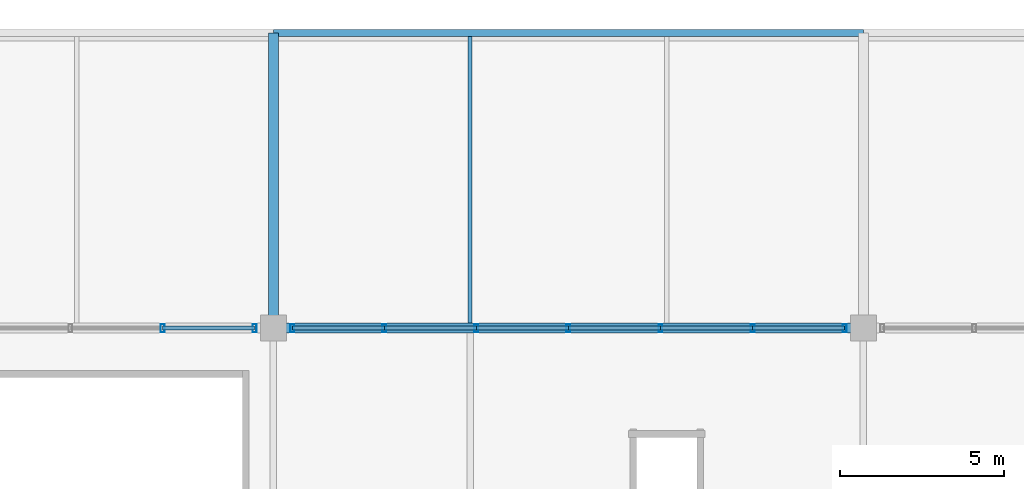
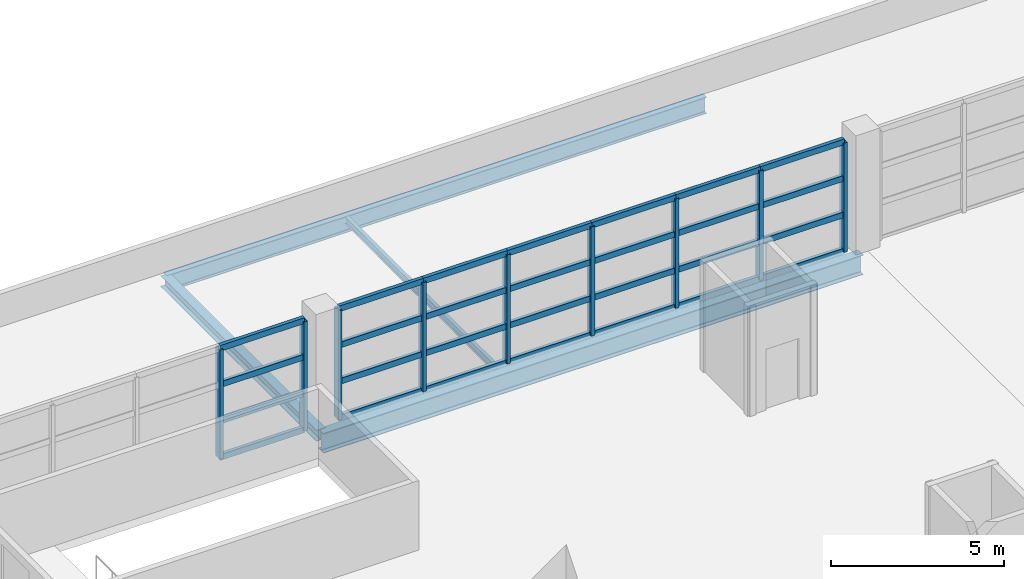
# One storey, part 37 of 136: 37 members, 4 beams, 2 elements without a shape of their own.
"""IFC4 building model written with IfcOpenShell, lengths in metres."""

import ifcopenshell
import ifcopenshell.guid

model = None  # the IFC model being written
_history = None  # IfcOwnerHistory: only IFC2X3 demands one
_inside = {}  # id of a spatial element -> (the spatial element, [elements in it])
_under = {}  # id of a project, library or spatial element -> (it, [spatial elements below it])
_declared = {}  # id of a project -> (the project, [libraries it declares])
_typed = {}  # id of a type object -> (the type object, [elements of that type])
_made_of = {}  # id of a material, layer set ... -> (it, [elements and type objects made of it])


def new_model(schema):
    """Start an empty IFC model of exactly this schema.

    Asked for "IFC4X3", IfcOpenShell would pick the latest addendum, in which some entities
    have other attributes; the version numbers below select the first issue.
    IFC2X3 requires an IfcOwnerHistory on every rooted entity: one is made here for all.
    """
    global model, _history
    if schema == "IFC4X3":
        model = ifcopenshell.file(schema_version=(4, 3, 0, 0))
    else:
        model = ifcopenshell.file(schema=schema)
    _inside.clear()
    _under.clear()
    _declared.clear()
    _typed.clear()
    _made_of.clear()
    _history = None
    if model.schema == "IFC2X3":
        org = make("IfcOrganization", Name="unknown")
        user = make(
            "IfcPersonAndOrganization",
            ThePerson=make("IfcPerson", FamilyName="unknown"),
            TheOrganization=org,
        )
        app = make(
            "IfcApplication",
            ApplicationDeveloper=org,
            Version="unknown",
            ApplicationFullName="unknown",
            ApplicationIdentifier="unknown",
        )
        _history = make(
            "IfcOwnerHistory",
            OwningUser=user,
            OwningApplication=app,
            ChangeAction="ADDED",
            CreationDate=0,
        )
    return model


def make(cls, **values):
    """One entity of the class cls with the attributes given. An attribute that is None is left unset."""
    return model.create_entity(
        cls, **{name: value for name, value in values.items() if value is not None}
    )


def rooted(cls, **values):
    """An entity with a GlobalId (a new one), such as an element, a storey or a relation."""
    return make(cls, GlobalId=ifcopenshell.guid.new(), OwnerHistory=_history, **values)


def si_unit(unit_type, name, prefix=None):
    """IfcSIUnit, for example si_unit("LENGTHUNIT", "METRE", prefix="MILLI")."""
    return make("IfcSIUnit", UnitType=unit_type, Prefix=prefix, Name=name)


def assignment(units):
    """IfcUnitAssignment: the units of a project."""
    return None if units is None else make("IfcUnitAssignment", Units=units)


def point(xyz):
    """IfcCartesianPoint."""
    return None if xyz is None else make("IfcCartesianPoint", Coordinates=xyz)


def direction(xyz):
    """IfcDirection."""
    return None if xyz is None else make("IfcDirection", DirectionRatios=xyz)


def frame(location, z_axis=None, x_axis=None):
    """IfcAxis2Placement3D, a coordinate frame: its origin and axes. An axis left out is left unset."""
    return make(
        "IfcAxis2Placement3D",
        Location=point(location),
        Axis=direction(z_axis),
        RefDirection=direction(x_axis),
    )


def frame_2d(location, x_axis=None):
    """IfcAxis2Placement2D, a coordinate frame in the plane: its origin and x axis."""
    return make(
        "IfcAxis2Placement2D", Location=point(location), RefDirection=direction(x_axis)
    )


def origin():
    """The frame at (0, 0, 0) with its axes left unset."""
    return frame((0.0, 0.0, 0.0))


def origin_2d():
    """The frame at (0, 0) in the plane with its x axis left unset."""
    return frame_2d((0.0, 0.0))


def place(relative_to, where):
    """IfcLocalPlacement: puts the frame where relative to a parent placement (None: the world)."""
    return make(
        "IfcLocalPlacement", PlacementRelTo=relative_to, RelativePlacement=where
    )


def context(
    kind, dimensions, precision=None, world=None, true_north=None, identifier=None
):
    """IfcGeometricRepresentationContext, for example the 3D "Model" context."""
    return make(
        "IfcGeometricRepresentationContext",
        ContextIdentifier=identifier,
        ContextType=kind,
        CoordinateSpaceDimension=dimensions,
        Precision=precision,
        WorldCoordinateSystem=world,
        TrueNorth=true_north,
    )


def subcontext(parent, identifier, kind, view, scale=None):
    """IfcGeometricRepresentationSubContext, for example "Body" below "Model"."""
    return make(
        "IfcGeometricRepresentationSubContext",
        ContextIdentifier=identifier,
        ContextType=kind,
        ParentContext=parent,
        TargetScale=scale,
        TargetView=view,
    )


def project(units=None, contexts=None):
    """IfcProject with its units and contexts."""
    return rooted(
        "IfcProject",
        Name="project",
        RepresentationContexts=contexts,
        UnitsInContext=assignment(units),
    )


def spatial(cls, under=None, at=None, **own):
    """A site, building, storey or space (cls), placed at a placement, below another one or the project."""
    s = rooted(cls, ObjectPlacement=at, **own)
    if under is not None:
        _under.setdefault(under.id(), (under, []))[1].append(s)
    return s


def profile(cls, at=None, kind="AREA", **sizes):
    """A parametric profile (cls). Its sizes go by their IFC names, for example OverallWidth=200.0."""
    return make(cls, ProfileType=kind, Position=at, **sizes)


def hollow_rectangle(**sizes):
    """IfcRectangleHollowProfileDef."""
    return profile("IfcRectangleHollowProfileDef", **sizes)


def i_section(**sizes):
    """IfcIShapeProfileDef."""
    return profile("IfcIShapeProfileDef", **sizes)


def extrude(swept, where, along, depth):
    """IfcExtrudedAreaSolid: the profile swept, set in the frame where, extruded along a direction by depth."""
    return make(
        "IfcExtrudedAreaSolid",
        SweptArea=swept,
        Position=where,
        ExtrudedDirection=direction(along),
        Depth=depth,
    )


def shape(context_of_items, identifier, shape_type, items):
    """IfcShapeRepresentation: the items that make up one representation, for example the "Body"."""
    return make(
        "IfcShapeRepresentation",
        ContextOfItems=context_of_items,
        RepresentationIdentifier=identifier,
        RepresentationType=shape_type,
        Items=items,
    )


def material(Name=None, Category=None):
    """IfcMaterial."""
    return make("IfcMaterial", Name=Name, Category=Category)


def material_profile(
    of_material, cross_section, Name=None, Category=None, Priority=None
):
    """IfcMaterialProfile: a cross section and its material."""
    return make(
        "IfcMaterialProfile",
        Name=Name,
        Material=of_material,
        Profile=cross_section,
        Priority=Priority,
        Category=Category,
    )


def profile_set(profiles, Name=None, composite=None):
    """IfcMaterialProfileSet."""
    return make(
        "IfcMaterialProfileSet",
        Name=Name,
        MaterialProfiles=profiles,
        CompositeProfile=composite,
    )


def made_of(thing, what):
    """Note that an element or type object is made of a material, layer set ...; save() writes the relation."""
    if what is not None:
        _made_of.setdefault(what.id(), (what, []))[1].append(thing)
    return thing


def type_object(cls, material=None, **own):
    """A type object (cls), such as IfcWallType, which elements share."""
    return made_of(rooted(cls, **own), material)


def element(
    cls,
    number,
    at=None,
    inside=None,
    cuts=None,
    type_object=None,
    material=None,
    context=None,
    identifier="Body",
    shape_type=None,
    held_by="IfcProductDefinitionShape",
    body=None,
    shapes=None,
    **own,
):
    """One element of the class cls, such as IfcWall. Its Tag is "e" and its number.

    at: its placement. inside: the storey or other place that contains it. cuts: it is an
    opening in that element (IfcRelVoidsElement). A single representation is given by context,
    identifier, shape_type and body (its items); several are given by shapes. held_by: the class
    of the entity that holds the representations. save() writes the other relations.
    """
    e = rooted(cls, Tag="e%d" % number, ObjectPlacement=at, **own)
    if body is not None:
        shapes = [shape(context, identifier, shape_type, body)]
    if shapes is not None:
        e.Representation = make(held_by, Representations=shapes)
    if inside is not None:
        _inside.setdefault(inside.id(), (inside, []))[1].append(e)
    if cuts is not None:
        rooted(
            "IfcRelVoidsElement", RelatingBuildingElement=cuts, RelatedOpeningElement=e
        )
    if type_object is not None:
        _typed.setdefault(type_object.id(), (type_object, []))[1].append(e)
    return made_of(e, material)


def aggregate(whole, parts):
    """IfcRelAggregates: a whole, such as a stair, and the parts it consists of."""
    return rooted("IfcRelAggregates", RelatingObject=whole, RelatedObjects=parts)


def save(model, path):
    """Write the relations noted so far, then the file.

    IfcRelAggregates (storeys below a building ...), IfcRelContainedInSpatialStructure (elements
    in a storey), IfcRelDefinesByType, IfcRelAssociatesMaterial and IfcRelDeclares: one each for
    every whole, place, type object, material and project.
    """
    for whole, parts in _under.values():
        aggregate(whole, parts)
    for where, things in _inside.values():
        rooted(
            "IfcRelContainedInSpatialStructure",
            RelatedElements=things,
            RelatingStructure=where,
        )
    for kind, things in _typed.values():
        rooted("IfcRelDefinesByType", RelatedObjects=things, RelatingType=kind)
    for what, things in _made_of.values():
        rooted("IfcRelAssociatesMaterial", RelatedObjects=things, RelatingMaterial=what)
    for by, libraries in _declared.values():
        rooted("IfcRelDeclares", RelatingContext=by, RelatedDefinitions=libraries)
    model.write(path)


model = new_model("IFC4")

# Units and contexts
model_context = context("Model", 3, precision=1e-05, world=origin(), true_north=direction((0.0, 1.0)))
body_context = subcontext(model_context, "Body", "Model", "MODEL_VIEW")
ifc_project = project(units=[si_unit("LENGTHUNIT", "METRE"), si_unit("AREAUNIT", "SQUARE_METRE"), si_unit("VOLUMEUNIT", "CUBIC_METRE"), si_unit("PLANEANGLEUNIT", "RADIAN"), si_unit("MASSUNIT", "GRAM", prefix="KILO")], contexts=[model_context])

# Site, building, storey
site_placement = place(None, origin())
site = spatial("IfcSite", under=ifc_project, at=site_placement, CompositionType="ELEMENT")
building_placement = place(site_placement, origin())
building = spatial("IfcBuilding", under=site, at=building_placement, Name="Chuanluo Vaults Station", CompositionType="ELEMENT")
storey_placement = place(building_placement, frame((0.0, 0.0, 6.60009765625)))
storey = spatial("IfcBuildingStorey", under=building, at=storey_placement, Name="L01", CompositionType="ELEMENT", Elevation=6.60009765625)

# Beams
ifc_material_1 = material(Name="Steel Q355C", Category="steel")
ifc_material_profile_1 = material_profile(ifc_material_1, i_section(OverallWidth=0.300048828125, OverallDepth=0.389892578125, WebThickness=0.010009765625, FlangeThickness=0.01611328125, FilletRadius=0.02001953125, at=origin_2d()))
ifc_profile_set_1 = profile_set([ifc_material_profile_1], Name="Steel Q355C")
beam_type_1 = type_object("IfcBeamType", Name="BM-GRD-400", PredefinedType="BEAM", material=ifc_profile_set_1)
beam_1_placement = place(storey_placement, frame((36.0, 117.0, -0.400146484375), z_axis=(0.0, 1.0, 0.0), x_axis=(-1.0, 0.0, 0.0)))
element("IfcBeam", 1, at=beam_1_placement, inside=storey, type_object=beam_type_1, Name="Floor girder BM:GY:L01:0425", PredefinedType="BEAM", context=body_context, shape_type="SweptSolid", body=[
    extrude(i_section(OverallWidth=0.300048828125, OverallDepth=0.389892578125, WebThickness=0.010009765625, FlangeThickness=0.01611328125, FilletRadius=0.02001953125, at=origin_2d()), origin(), (0.0, 0.0, 1.0), 9.0),
])
ifc_material_2 = material(Name="Steel Q355C", Category="steel")
ifc_material_profile_2 = material_profile(ifc_material_2, i_section(OverallWidth=0.300048828125, OverallDepth=0.699951171875, WebThickness=0.012939453125, FlangeThickness=0.02392578125, FilletRadius=0.02197265625, at=origin_2d()))
ifc_profile_set_2 = profile_set([ifc_material_profile_2], Name="Steel Q355C")
beam_type_2 = type_object("IfcBeamType", Name="BM-GRD-700", PredefinedType="USERDEFINED", material=ifc_profile_set_2)
beam_2_placement = place(storey_placement, frame((36.0, 117.0, -0.630126953125), z_axis=(1.0, 0.0, 0.0), x_axis=(0.0, 1.0, 0.0)))
element("IfcBeam", 2, at=beam_2_placement, inside=storey, type_object=beam_type_2, Name="Floor girder BM:GX:L01:0379", ObjectType="GIRDER", PredefinedType="USERDEFINED", context=body_context, shape_type="SweptSolid", body=[
    extrude(i_section(OverallWidth=0.300048828125, OverallDepth=0.699951171875, WebThickness=0.012939453125, FlangeThickness=0.02392578125, FilletRadius=0.02197265625, at=origin_2d()), origin(), (0.0, 0.0, 1.0), 18.0),
])
ifc_material_3 = material(Name="Steel Q355C", Category="steel")
ifc_material_profile_3 = material_profile(ifc_material_3, i_section(OverallWidth=0.125, OverallDepth=0.25, WebThickness=0.006103515625, FlangeThickness=0.009033203125, FilletRadius=0.011962890625, at=origin_2d()))
ifc_profile_set_3 = profile_set([ifc_material_profile_3], Name="Steel Q355C")
beam_type_3 = type_object("IfcBeamType", Name="BM-SEC-250", PredefinedType="JOIST", material=ifc_profile_set_3)
beam_3_placement = place(storey_placement, frame((42.0, 117.155029296875, -0.330078125), z_axis=(0.0, 1.0, 0.0), x_axis=(-1.0, 0.0, 0.0)))
element("IfcBeam", 3, at=beam_3_placement, inside=storey, type_object=beam_type_3, Name="Composite secondary joist 0120", PredefinedType="JOIST", context=body_context, shape_type="SweptSolid", body=[
    extrude(i_section(OverallWidth=0.125, OverallDepth=0.25, WebThickness=0.006103515625, FlangeThickness=0.009033203125, FilletRadius=0.011962890625, at=origin_2d()), origin(), (0.0, 0.0, 1.0), 8.73486328125),
])
ifc_material_4 = material(Name="Steel Q355C", Category="steel")
ifc_material_profile_4 = material_profile(ifc_material_4, i_section(OverallWidth=0.2099609375, OverallDepth=0.580078125, WebThickness=0.010986328125, FlangeThickness=0.01708984375, FilletRadius=0.01806640625, at=origin_2d()))
ifc_profile_set_4 = profile_set([ifc_material_profile_4], Name="Steel Q355C")
beam_type_4 = type_object("IfcBeamType", Name="BM-SPN-600", PredefinedType="SPANDREL", material=ifc_profile_set_4)
beam_4_placement = place(storey_placement, frame((36.0, 126.0, -0.4951171875), z_axis=(1.0, 0.0, 0.0), x_axis=(0.0, 1.0, 0.0)))
element("IfcBeam", 4, at=beam_4_placement, inside=storey, type_object=beam_type_4, Name="Floor girder BM:GX:L01:0393", PredefinedType="SPANDREL", context=body_context, shape_type="SweptSolid", body=[
    extrude(i_section(OverallWidth=0.2099609375, OverallDepth=0.580078125, WebThickness=0.010986328125, FlangeThickness=0.01708984375, FilletRadius=0.01806640625, at=origin_2d()), origin(), (0.0, 0.0, 1.0), 18.0),
])

# Curtain wall, members
ifc_material_5 = material(Name="Anodised aluminium 6063-T6", Category="aluminium")
curtain_wall_type_1 = type_object("IfcCurtainWallType", Name="CW-SYS-07", PredefinedType="NOTDEFINED", material=ifc_material_5)
curtain_wall_1_placement = place(storey_placement, origin())
curtain_wall_1 = element("IfcCurtainWall", 5, at=curtain_wall_1_placement, inside=storey, type_object=curtain_wall_type_1, Name="Over-track V2 north facade CW", PredefinedType="NOTDEFINED")
ifc_material_6 = material(Name="Anodised aluminium 6063-T6", Category="aluminium")
ifc_material_profile_5 = material_profile(ifc_material_6, hollow_rectangle(XDim=0.1201171875, YDim=0.25, WallThickness=0.006103515625, at=origin_2d()))
ifc_profile_set_5 = profile_set([ifc_material_profile_5], Name="Anodised aluminium 6063-T6")
member_type_1 = type_object("IfcMemberType", Name="CWM-160", PredefinedType="MULLION", material=ifc_profile_set_5)
member_1_placement = place(storey_placement, frame((32.61669921875, 117.0, 0.0), z_axis=(0.0, 0.0, 1.0), x_axis=(1.0, 0.0, 0.0)))
member_1 = element("IfcMember", 6, at=member_1_placement, type_object=member_type_1, Name="Over-track V2 north facade CW mullion 6", PredefinedType="MULLION", context=body_context, shape_type="SweptSolid", body=[
    extrude(hollow_rectangle(XDim=0.1201171875, YDim=0.25, WallThickness=0.006103515625, at=origin_2d()), origin(), (0.0, 0.0, 1.0), 3.849853515625),
])
member_2_placement = place(storey_placement, frame((35.425048828125, 117.0, 0.0), z_axis=(0.0, 0.0, 1.0), x_axis=(1.0, 0.0, 0.0)))
member_2 = element("IfcMember", 7, at=member_2_placement, type_object=member_type_1, Name="Over-track V2 north facade CW mullion 7", PredefinedType="MULLION", context=body_context, shape_type="SweptSolid", body=[
    extrude(hollow_rectangle(XDim=0.1201171875, YDim=0.25, WallThickness=0.006103515625, at=origin_2d()), origin(), (0.0, 0.0, 1.0), 3.849853515625),
])

ifc_material_7 = material(Name="Anodised aluminium 6063-T6", Category="aluminium")
curtain_wall_type_2 = type_object("IfcCurtainWallType", Name="CW-SYS-11", PredefinedType="NOTDEFINED", material=ifc_material_7)
curtain_wall_2_placement = place(storey_placement, origin())
curtain_wall_2 = element("IfcCurtainWall", 8, at=curtain_wall_2_placement, inside=storey, type_object=curtain_wall_type_2, Name="Over-track V3 north facade CW", PredefinedType="NOTDEFINED")
member_3_placement = place(storey_placement, frame((36.574951171875, 117.0, 0.0), z_axis=(0.0, 0.0, 1.0), x_axis=(1.0, 0.0, 0.0)))
member_3 = element("IfcMember", 9, at=member_3_placement, type_object=member_type_1, Name="Over-track V3 north facade CW mullion 1", PredefinedType="MULLION", context=body_context, shape_type="SweptSolid", body=[
    extrude(hollow_rectangle(XDim=0.1201171875, YDim=0.25, WallThickness=0.006103515625, at=origin_2d()), origin(), (0.0, 0.0, 1.0), 3.849853515625),
])
member_4_placement = place(storey_placement, frame((39.38330078125, 117.0, 0.0), z_axis=(0.0, 0.0, 1.0), x_axis=(1.0, 0.0, 0.0)))
member_4 = element("IfcMember", 10, at=member_4_placement, type_object=member_type_1, Name="Over-track V3 north facade CW mullion 2", PredefinedType="MULLION", context=body_context, shape_type="SweptSolid", body=[
    extrude(hollow_rectangle(XDim=0.1201171875, YDim=0.25, WallThickness=0.006103515625, at=origin_2d()), origin(), (0.0, 0.0, 1.0), 3.849853515625),
])
member_5_placement = place(storey_placement, frame((42.191650390625, 117.0, 0.0), z_axis=(0.0, 0.0, 1.0), x_axis=(1.0, 0.0, 0.0)))
member_5 = element("IfcMember", 11, at=member_5_placement, type_object=member_type_1, Name="Over-track V3 north facade CW mullion 3", PredefinedType="MULLION", context=body_context, shape_type="SweptSolid", body=[
    extrude(hollow_rectangle(XDim=0.1201171875, YDim=0.25, WallThickness=0.006103515625, at=origin_2d()), origin(), (0.0, 0.0, 1.0), 3.849853515625),
])
member_6_placement = place(storey_placement, frame((45.0, 117.0, 0.0), z_axis=(0.0, 0.0, 1.0), x_axis=(1.0, 0.0, 0.0)))
member_6 = element("IfcMember", 12, at=member_6_placement, type_object=member_type_1, Name="Over-track V3 north facade CW mullion 4", PredefinedType="MULLION", context=body_context, shape_type="SweptSolid", body=[
    extrude(hollow_rectangle(XDim=0.1201171875, YDim=0.25, WallThickness=0.006103515625, at=origin_2d()), origin(), (0.0, 0.0, 1.0), 3.849853515625),
])
member_7_placement = place(storey_placement, frame((47.808349609375, 117.0, 0.0), z_axis=(0.0, 0.0, 1.0), x_axis=(1.0, 0.0, 0.0)))
member_7 = element("IfcMember", 13, at=member_7_placement, type_object=member_type_1, Name="Over-track V3 north facade CW mullion 5", PredefinedType="MULLION", context=body_context, shape_type="SweptSolid", body=[
    extrude(hollow_rectangle(XDim=0.1201171875, YDim=0.25, WallThickness=0.006103515625, at=origin_2d()), origin(), (0.0, 0.0, 1.0), 3.849853515625),
])
member_8_placement = place(storey_placement, frame((50.61669921875, 117.0, 0.0), z_axis=(0.0, 0.0, 1.0), x_axis=(1.0, 0.0, 0.0)))
member_8 = element("IfcMember", 14, at=member_8_placement, type_object=member_type_1, Name="Over-track V3 north facade CW mullion 6", PredefinedType="MULLION", context=body_context, shape_type="SweptSolid", body=[
    extrude(hollow_rectangle(XDim=0.1201171875, YDim=0.25, WallThickness=0.006103515625, at=origin_2d()), origin(), (0.0, 0.0, 1.0), 3.849853515625),
])
member_9_placement = place(storey_placement, frame((53.425048828125, 117.0, 0.0), z_axis=(0.0, 0.0, 1.0), x_axis=(1.0, 0.0, 0.0)))
member_9 = element("IfcMember", 15, at=member_9_placement, type_object=member_type_1, Name="Over-track V3 north facade CW mullion 7", PredefinedType="MULLION", context=body_context, shape_type="SweptSolid", body=[
    extrude(hollow_rectangle(XDim=0.1201171875, YDim=0.25, WallThickness=0.006103515625, at=origin_2d()), origin(), (0.0, 0.0, 1.0), 3.849853515625),
])

# Member
ifc_material_8 = material(Name="Anodised aluminium 6063-T6", Category="aluminium")
ifc_material_profile_6 = material_profile(ifc_material_8, hollow_rectangle(XDim=0.1201171875, YDim=0.205078125, WallThickness=0.006103515625, at=origin_2d()))
ifc_profile_set_6 = profile_set([ifc_material_profile_6], Name="Anodised aluminium 6063-T6")
member_type_2 = type_object("IfcMemberType", Name="CWT-130", PredefinedType="USERDEFINED", material=ifc_profile_set_6)
member_10_placement = place(storey_placement, frame((32.61669921875, 117.0, 0.0), z_axis=(1.0, 0.0, 0.0), x_axis=(0.0, 1.0, 0.0)))
member_10 = element("IfcMember", 16, at=member_10_placement, type_object=member_type_2, Name="Over-track V2 north facade CW transom 6.1", ObjectType="TRANSOM", PredefinedType="USERDEFINED", context=body_context, shape_type="SweptSolid", body=[
    extrude(hollow_rectangle(XDim=0.1201171875, YDim=0.205078125, WallThickness=0.006103515625, at=origin_2d()), origin(), (0.0, 0.0, 1.0), 2.808349609375),
])

member_11_placement = place(storey_placement, frame((32.61669921875, 117.0, 1.283203125), z_axis=(1.0, 0.0, 0.0), x_axis=(0.0, 1.0, 0.0)))
member_11 = element("IfcMember", 17, at=member_11_placement, type_object=member_type_2, Name="Over-track V2 north facade CW transom 6.2", ObjectType="TRANSOM", PredefinedType="USERDEFINED", context=body_context, shape_type="SweptSolid", body=[
    extrude(hollow_rectangle(XDim=0.1201171875, YDim=0.205078125, WallThickness=0.006103515625, at=origin_2d()), origin(), (0.0, 0.0, 1.0), 2.808349609375),
])

member_12_placement = place(storey_placement, frame((32.61669921875, 117.0, 2.566650390625), z_axis=(1.0, 0.0, 0.0), x_axis=(0.0, 1.0, 0.0)))
member_12 = element("IfcMember", 18, at=member_12_placement, type_object=member_type_2, Name="Over-track V2 north facade CW transom 6.3", ObjectType="TRANSOM", PredefinedType="USERDEFINED", context=body_context, shape_type="SweptSolid", body=[
    extrude(hollow_rectangle(XDim=0.1201171875, YDim=0.205078125, WallThickness=0.006103515625, at=origin_2d()), origin(), (0.0, 0.0, 1.0), 2.808349609375),
])

member_13_placement = place(storey_placement, frame((32.61669921875, 117.0, 3.849853515625), z_axis=(1.0, 0.0, 0.0), x_axis=(0.0, 1.0, 0.0)))
member_13 = element("IfcMember", 19, at=member_13_placement, type_object=member_type_2, Name="Over-track V2 north facade CW transom 6.4", ObjectType="TRANSOM", PredefinedType="USERDEFINED", context=body_context, shape_type="SweptSolid", body=[
    extrude(hollow_rectangle(XDim=0.1201171875, YDim=0.205078125, WallThickness=0.006103515625, at=origin_2d()), origin(), (0.0, 0.0, 1.0), 2.808349609375),
])

aggregate(curtain_wall_1, [member_1, member_2, member_10, member_11, member_12, member_13])

member_14_placement = place(storey_placement, frame((36.574951171875, 117.0, 0.0), z_axis=(1.0, 0.0, 0.0), x_axis=(0.0, 1.0, 0.0)))
member_14 = element("IfcMember", 20, at=member_14_placement, type_object=member_type_2, Name="Over-track V3 north facade CW transom 1.1", ObjectType="TRANSOM", PredefinedType="USERDEFINED", context=body_context, shape_type="SweptSolid", body=[
    extrude(hollow_rectangle(XDim=0.1201171875, YDim=0.205078125, WallThickness=0.006103515625, at=origin_2d()), origin(), (0.0, 0.0, 1.0), 2.808349609375),
])

member_15_placement = place(storey_placement, frame((36.574951171875, 117.0, 1.283203125), z_axis=(1.0, 0.0, 0.0), x_axis=(0.0, 1.0, 0.0)))
member_15 = element("IfcMember", 21, at=member_15_placement, type_object=member_type_2, Name="Over-track V3 north facade CW transom 1.2", ObjectType="TRANSOM", PredefinedType="USERDEFINED", context=body_context, shape_type="SweptSolid", body=[
    extrude(hollow_rectangle(XDim=0.1201171875, YDim=0.205078125, WallThickness=0.006103515625, at=origin_2d()), origin(), (0.0, 0.0, 1.0), 2.808349609375),
])

member_16_placement = place(storey_placement, frame((36.574951171875, 117.0, 2.566650390625), z_axis=(1.0, 0.0, 0.0), x_axis=(0.0, 1.0, 0.0)))
member_16 = element("IfcMember", 22, at=member_16_placement, type_object=member_type_2, Name="Over-track V3 north facade CW transom 1.3", ObjectType="TRANSOM", PredefinedType="USERDEFINED", context=body_context, shape_type="SweptSolid", body=[
    extrude(hollow_rectangle(XDim=0.1201171875, YDim=0.205078125, WallThickness=0.006103515625, at=origin_2d()), origin(), (0.0, 0.0, 1.0), 2.808349609375),
])

member_17_placement = place(storey_placement, frame((36.574951171875, 117.0, 3.849853515625), z_axis=(1.0, 0.0, 0.0), x_axis=(0.0, 1.0, 0.0)))
member_17 = element("IfcMember", 23, at=member_17_placement, type_object=member_type_2, Name="Over-track V3 north facade CW transom 1.4", ObjectType="TRANSOM", PredefinedType="USERDEFINED", context=body_context, shape_type="SweptSolid", body=[
    extrude(hollow_rectangle(XDim=0.1201171875, YDim=0.205078125, WallThickness=0.006103515625, at=origin_2d()), origin(), (0.0, 0.0, 1.0), 2.808349609375),
])

member_18_placement = place(storey_placement, frame((39.38330078125, 117.0, 0.0), z_axis=(1.0, 0.0, 0.0), x_axis=(0.0, 1.0, 0.0)))
member_18 = element("IfcMember", 24, at=member_18_placement, type_object=member_type_2, Name="Over-track V3 north facade CW transom 2.1", ObjectType="TRANSOM", PredefinedType="USERDEFINED", context=body_context, shape_type="SweptSolid", body=[
    extrude(hollow_rectangle(XDim=0.1201171875, YDim=0.205078125, WallThickness=0.006103515625, at=origin_2d()), origin(), (0.0, 0.0, 1.0), 2.808349609375),
])

member_19_placement = place(storey_placement, frame((39.38330078125, 117.0, 1.283203125), z_axis=(1.0, 0.0, 0.0), x_axis=(0.0, 1.0, 0.0)))
member_19 = element("IfcMember", 25, at=member_19_placement, type_object=member_type_2, Name="Over-track V3 north facade CW transom 2.2", ObjectType="TRANSOM", PredefinedType="USERDEFINED", context=body_context, shape_type="SweptSolid", body=[
    extrude(hollow_rectangle(XDim=0.1201171875, YDim=0.205078125, WallThickness=0.006103515625, at=origin_2d()), origin(), (0.0, 0.0, 1.0), 2.808349609375),
])

member_20_placement = place(storey_placement, frame((39.38330078125, 117.0, 2.566650390625), z_axis=(1.0, 0.0, 0.0), x_axis=(0.0, 1.0, 0.0)))
member_20 = element("IfcMember", 26, at=member_20_placement, type_object=member_type_2, Name="Over-track V3 north facade CW transom 2.3", ObjectType="TRANSOM", PredefinedType="USERDEFINED", context=body_context, shape_type="SweptSolid", body=[
    extrude(hollow_rectangle(XDim=0.1201171875, YDim=0.205078125, WallThickness=0.006103515625, at=origin_2d()), origin(), (0.0, 0.0, 1.0), 2.808349609375),
])

member_21_placement = place(storey_placement, frame((39.38330078125, 117.0, 3.849853515625), z_axis=(1.0, 0.0, 0.0), x_axis=(0.0, 1.0, 0.0)))
member_21 = element("IfcMember", 27, at=member_21_placement, type_object=member_type_2, Name="Over-track V3 north facade CW transom 2.4", ObjectType="TRANSOM", PredefinedType="USERDEFINED", context=body_context, shape_type="SweptSolid", body=[
    extrude(hollow_rectangle(XDim=0.1201171875, YDim=0.205078125, WallThickness=0.006103515625, at=origin_2d()), origin(), (0.0, 0.0, 1.0), 2.808349609375),
])

member_22_placement = place(storey_placement, frame((42.191650390625, 117.0, 0.0), z_axis=(1.0, 0.0, 0.0), x_axis=(0.0, 1.0, 0.0)))
member_22 = element("IfcMember", 28, at=member_22_placement, type_object=member_type_2, Name="Over-track V3 north facade CW transom 3.1", ObjectType="TRANSOM", PredefinedType="USERDEFINED", context=body_context, shape_type="SweptSolid", body=[
    extrude(hollow_rectangle(XDim=0.1201171875, YDim=0.205078125, WallThickness=0.006103515625, at=origin_2d()), origin(), (0.0, 0.0, 1.0), 2.808349609375),
])

member_23_placement = place(storey_placement, frame((42.191650390625, 117.0, 1.283203125), z_axis=(1.0, 0.0, 0.0), x_axis=(0.0, 1.0, 0.0)))
member_23 = element("IfcMember", 29, at=member_23_placement, type_object=member_type_2, Name="Over-track V3 north facade CW transom 3.2", ObjectType="TRANSOM", PredefinedType="USERDEFINED", context=body_context, shape_type="SweptSolid", body=[
    extrude(hollow_rectangle(XDim=0.1201171875, YDim=0.205078125, WallThickness=0.006103515625, at=origin_2d()), origin(), (0.0, 0.0, 1.0), 2.808349609375),
])

member_24_placement = place(storey_placement, frame((42.191650390625, 117.0, 2.566650390625), z_axis=(1.0, 0.0, 0.0), x_axis=(0.0, 1.0, 0.0)))
member_24 = element("IfcMember", 30, at=member_24_placement, type_object=member_type_2, Name="Over-track V3 north facade CW transom 3.3", ObjectType="TRANSOM", PredefinedType="USERDEFINED", context=body_context, shape_type="SweptSolid", body=[
    extrude(hollow_rectangle(XDim=0.1201171875, YDim=0.205078125, WallThickness=0.006103515625, at=origin_2d()), origin(), (0.0, 0.0, 1.0), 2.808349609375),
])

member_25_placement = place(storey_placement, frame((42.191650390625, 117.0, 3.849853515625), z_axis=(1.0, 0.0, 0.0), x_axis=(0.0, 1.0, 0.0)))
member_25 = element("IfcMember", 31, at=member_25_placement, type_object=member_type_2, Name="Over-track V3 north facade CW transom 3.4", ObjectType="TRANSOM", PredefinedType="USERDEFINED", context=body_context, shape_type="SweptSolid", body=[
    extrude(hollow_rectangle(XDim=0.1201171875, YDim=0.205078125, WallThickness=0.006103515625, at=origin_2d()), origin(), (0.0, 0.0, 1.0), 2.808349609375),
])

member_26_placement = place(storey_placement, frame((45.0, 117.0, 0.0), z_axis=(1.0, 0.0, 0.0), x_axis=(0.0, 1.0, 0.0)))
member_26 = element("IfcMember", 32, at=member_26_placement, type_object=member_type_2, Name="Over-track V3 north facade CW transom 4.1", ObjectType="TRANSOM", PredefinedType="USERDEFINED", context=body_context, shape_type="SweptSolid", body=[
    extrude(hollow_rectangle(XDim=0.1201171875, YDim=0.205078125, WallThickness=0.006103515625, at=origin_2d()), origin(), (0.0, 0.0, 1.0), 2.808349609375),
])

member_27_placement = place(storey_placement, frame((45.0, 117.0, 1.283203125), z_axis=(1.0, 0.0, 0.0), x_axis=(0.0, 1.0, 0.0)))
member_27 = element("IfcMember", 33, at=member_27_placement, type_object=member_type_2, Name="Over-track V3 north facade CW transom 4.2", ObjectType="TRANSOM", PredefinedType="USERDEFINED", context=body_context, shape_type="SweptSolid", body=[
    extrude(hollow_rectangle(XDim=0.1201171875, YDim=0.205078125, WallThickness=0.006103515625, at=origin_2d()), origin(), (0.0, 0.0, 1.0), 2.808349609375),
])

member_28_placement = place(storey_placement, frame((45.0, 117.0, 2.566650390625), z_axis=(1.0, 0.0, 0.0), x_axis=(0.0, 1.0, 0.0)))
member_28 = element("IfcMember", 34, at=member_28_placement, type_object=member_type_2, Name="Over-track V3 north facade CW transom 4.3", ObjectType="TRANSOM", PredefinedType="USERDEFINED", context=body_context, shape_type="SweptSolid", body=[
    extrude(hollow_rectangle(XDim=0.1201171875, YDim=0.205078125, WallThickness=0.006103515625, at=origin_2d()), origin(), (0.0, 0.0, 1.0), 2.808349609375),
])

member_29_placement = place(storey_placement, frame((45.0, 117.0, 3.849853515625), z_axis=(1.0, 0.0, 0.0), x_axis=(0.0, 1.0, 0.0)))
member_29 = element("IfcMember", 35, at=member_29_placement, type_object=member_type_2, Name="Over-track V3 north facade CW transom 4.4", ObjectType="TRANSOM", PredefinedType="USERDEFINED", context=body_context, shape_type="SweptSolid", body=[
    extrude(hollow_rectangle(XDim=0.1201171875, YDim=0.205078125, WallThickness=0.006103515625, at=origin_2d()), origin(), (0.0, 0.0, 1.0), 2.808349609375),
])

member_30_placement = place(storey_placement, frame((47.808349609375, 117.0, 0.0), z_axis=(1.0, 0.0, 0.0), x_axis=(0.0, 1.0, 0.0)))
member_30 = element("IfcMember", 36, at=member_30_placement, type_object=member_type_2, Name="Over-track V3 north facade CW transom 5.1", ObjectType="TRANSOM", PredefinedType="USERDEFINED", context=body_context, shape_type="SweptSolid", body=[
    extrude(hollow_rectangle(XDim=0.1201171875, YDim=0.205078125, WallThickness=0.006103515625, at=origin_2d()), origin(), (0.0, 0.0, 1.0), 2.808349609375),
])

member_31_placement = place(storey_placement, frame((47.808349609375, 117.0, 1.283203125), z_axis=(1.0, 0.0, 0.0), x_axis=(0.0, 1.0, 0.0)))
member_31 = element("IfcMember", 37, at=member_31_placement, type_object=member_type_2, Name="Over-track V3 north facade CW transom 5.2", ObjectType="TRANSOM", PredefinedType="USERDEFINED", context=body_context, shape_type="SweptSolid", body=[
    extrude(hollow_rectangle(XDim=0.1201171875, YDim=0.205078125, WallThickness=0.006103515625, at=origin_2d()), origin(), (0.0, 0.0, 1.0), 2.808349609375),
])

member_32_placement = place(storey_placement, frame((47.808349609375, 117.0, 2.566650390625), z_axis=(1.0, 0.0, 0.0), x_axis=(0.0, 1.0, 0.0)))
member_32 = element("IfcMember", 38, at=member_32_placement, type_object=member_type_2, Name="Over-track V3 north facade CW transom 5.3", ObjectType="TRANSOM", PredefinedType="USERDEFINED", context=body_context, shape_type="SweptSolid", body=[
    extrude(hollow_rectangle(XDim=0.1201171875, YDim=0.205078125, WallThickness=0.006103515625, at=origin_2d()), origin(), (0.0, 0.0, 1.0), 2.808349609375),
])

member_33_placement = place(storey_placement, frame((47.808349609375, 117.0, 3.849853515625), z_axis=(1.0, 0.0, 0.0), x_axis=(0.0, 1.0, 0.0)))
member_33 = element("IfcMember", 39, at=member_33_placement, type_object=member_type_2, Name="Over-track V3 north facade CW transom 5.4", ObjectType="TRANSOM", PredefinedType="USERDEFINED", context=body_context, shape_type="SweptSolid", body=[
    extrude(hollow_rectangle(XDim=0.1201171875, YDim=0.205078125, WallThickness=0.006103515625, at=origin_2d()), origin(), (0.0, 0.0, 1.0), 2.808349609375),
])

member_34_placement = place(storey_placement, frame((50.61669921875, 117.0, 0.0), z_axis=(1.0, 0.0, 0.0), x_axis=(0.0, 1.0, 0.0)))
member_34 = element("IfcMember", 40, at=member_34_placement, type_object=member_type_2, Name="Over-track V3 north facade CW transom 6.1", ObjectType="TRANSOM", PredefinedType="USERDEFINED", context=body_context, shape_type="SweptSolid", body=[
    extrude(hollow_rectangle(XDim=0.1201171875, YDim=0.205078125, WallThickness=0.006103515625, at=origin_2d()), origin(), (0.0, 0.0, 1.0), 2.808349609375),
])

member_35_placement = place(storey_placement, frame((50.61669921875, 117.0, 1.283203125), z_axis=(1.0, 0.0, 0.0), x_axis=(0.0, 1.0, 0.0)))
member_35 = element("IfcMember", 41, at=member_35_placement, type_object=member_type_2, Name="Over-track V3 north facade CW transom 6.2", ObjectType="TRANSOM", PredefinedType="USERDEFINED", context=body_context, shape_type="SweptSolid", body=[
    extrude(hollow_rectangle(XDim=0.1201171875, YDim=0.205078125, WallThickness=0.006103515625, at=origin_2d()), origin(), (0.0, 0.0, 1.0), 2.808349609375),
])

member_36_placement = place(storey_placement, frame((50.61669921875, 117.0, 2.566650390625), z_axis=(1.0, 0.0, 0.0), x_axis=(0.0, 1.0, 0.0)))
member_36 = element("IfcMember", 42, at=member_36_placement, type_object=member_type_2, Name="Over-track V3 north facade CW transom 6.3", ObjectType="TRANSOM", PredefinedType="USERDEFINED", context=body_context, shape_type="SweptSolid", body=[
    extrude(hollow_rectangle(XDim=0.1201171875, YDim=0.205078125, WallThickness=0.006103515625, at=origin_2d()), origin(), (0.0, 0.0, 1.0), 2.808349609375),
])

member_37_placement = place(storey_placement, frame((50.61669921875, 117.0, 3.849853515625), z_axis=(1.0, 0.0, 0.0), x_axis=(0.0, 1.0, 0.0)))
member_37 = element("IfcMember", 43, at=member_37_placement, type_object=member_type_2, Name="Over-track V3 north facade CW transom 6.4", ObjectType="TRANSOM", PredefinedType="USERDEFINED", context=body_context, shape_type="SweptSolid", body=[
    extrude(hollow_rectangle(XDim=0.1201171875, YDim=0.205078125, WallThickness=0.006103515625, at=origin_2d()), origin(), (0.0, 0.0, 1.0), 2.808349609375),
])

aggregate(curtain_wall_2, [member_3, member_4, member_5, member_6, member_7, member_8, member_9, member_14, member_15, member_16, member_17, member_18, member_19, member_20, member_21, member_22, member_23, member_24, member_25, member_26, member_27, member_28, member_29, member_30, member_31, member_32, member_33, member_34, member_35, member_36, member_37])

save(model, "model.ifc")
